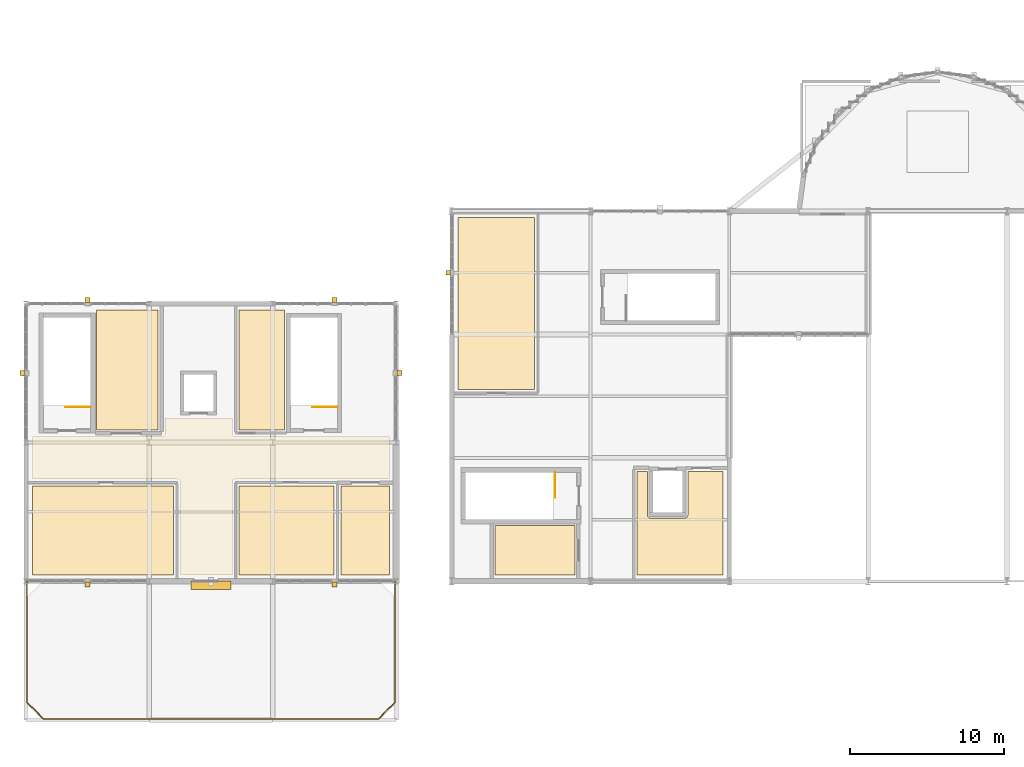
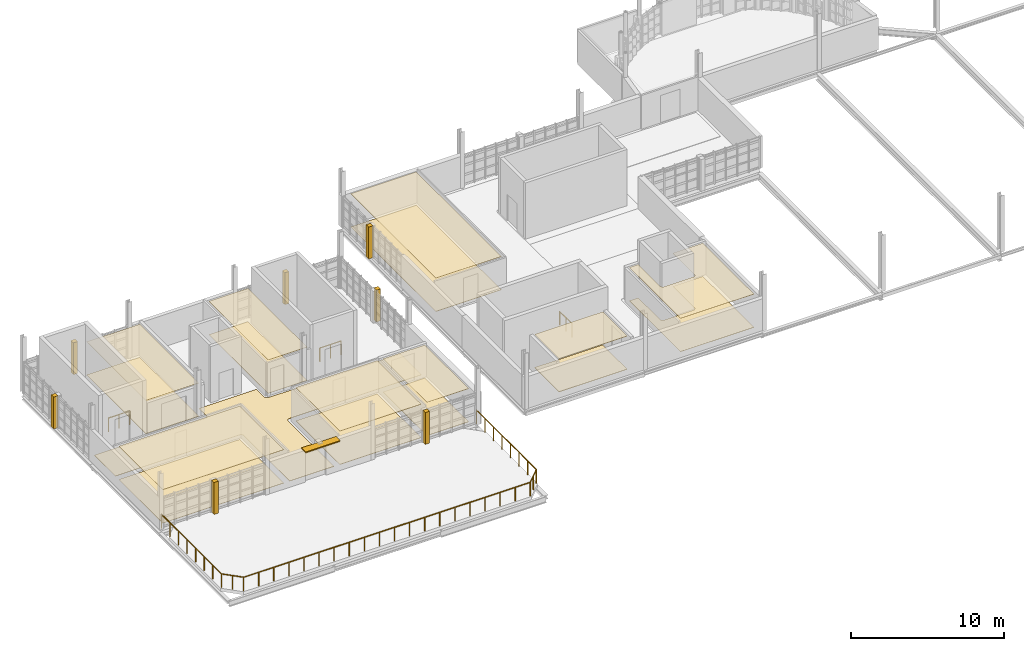
# One storey, part 42 of 44: 24 coverings, 4 railings, 1 shading device.
"""IFC4 building model written with IfcOpenShell, lengths in metres."""

from ifc_helpers import new_model, si_unit, direction, frame, origin, origin_2d, place, context, subcontext, project, spatial, polyline, rectangle, circle, outline, extrude, material, layer, layer_set, type_object, element, save


model = new_model("IFC4")

# Units and contexts
model_context = context("Model", 3, precision=1e-05, world=origin(), true_north=direction((0.0, 1.0)))
body_context = subcontext(model_context, "Body", "Model", "MODEL_VIEW")
ifc_project = project(units=[si_unit("LENGTHUNIT", "METRE"), si_unit("AREAUNIT", "SQUARE_METRE"), si_unit("VOLUMEUNIT", "CUBIC_METRE"), si_unit("PLANEANGLEUNIT", "RADIAN"), si_unit("MASSUNIT", "GRAM", prefix="KILO")], contexts=[model_context])

# Site, building, storey
site_placement = place(None, origin())
site = spatial("IfcSite", under=ifc_project, at=site_placement, CompositionType="ELEMENT")
building_placement = place(site_placement, origin())
building = spatial("IfcBuilding", under=site, at=building_placement, Name="Serraforn Aerial Cableway Station", CompositionType="ELEMENT")
storey_placement = place(building_placement, frame((0.0, 0.0, 13.800048828125)))
storey = spatial("IfcBuildingStorey", under=building, at=storey_placement, Name="L03", CompositionType="ELEMENT", Elevation=13.800048828125)

# Coverings
ifc_material_1 = material(Name="Fluted patinated bronze Art Deco pilaster cladding")
ifc_layer_1 = layer(ifc_material_1, 0.034912109375)
ifc_layer_set_1 = layer_set([ifc_layer_1], Name="Fluted patinated bronze Art Deco pilaster cladding")
covering_type_1 = type_object("IfcCoveringType", Name="COV-CLAD-BRZ", PredefinedType="CLADDING", material=ifc_layer_set_1)
covering_1_placement = place(storey_placement, origin())
element("IfcCovering", 1, at=covering_1_placement, inside=storey, type_object=covering_type_1, Name="Art Deco Bronze Pilaster Cladding W-L03-S1", PredefinedType="CLADDING", context=body_context, shape_type="SweptSolid", body=[
    extrude(outline(polyline([(3.840087890625, 17.6201171875), (4.159912109375, 17.6201171875), (4.159912109375, 17.93994140625), (3.840087890625, 17.93994140625), (3.840087890625, 17.6201171875)])), origin(), (0.0, 0.0, 1.0), 2.550048828125),
])
covering_2_placement = place(storey_placement, origin())
element("IfcCovering", 2, at=covering_2_placement, inside=storey, type_object=covering_type_1, Name="Art Deco Bronze Pilaster Cladding W-L03-S3", PredefinedType="CLADDING", context=body_context, shape_type="SweptSolid", body=[
    extrude(outline(polyline([(19.840087890625, 17.6201171875), (20.159912109375, 17.6201171875), (20.159912109375, 17.93994140625), (19.840087890625, 17.93994140625), (19.840087890625, 17.6201171875)])), origin(), (0.0, 0.0, 1.0), 2.550048828125),
])
covering_3_placement = place(storey_placement, origin())
element("IfcCovering", 3, at=covering_3_placement, inside=storey, type_object=covering_type_1, Name="Art Deco Bronze Pilaster Cladding W-L03-N1", PredefinedType="CLADDING", context=body_context, shape_type="SweptSolid", body=[
    extrude(outline(polyline([(3.840087890625, 36.06005859375), (4.159912109375, 36.06005859375), (4.159912109375, 36.3798828125), (3.840087890625, 36.3798828125), (3.840087890625, 36.06005859375)])), origin(), (0.0, 0.0, 1.0), 2.550048828125),
])
covering_4_placement = place(storey_placement, origin())
element("IfcCovering", 4, at=covering_4_placement, inside=storey, type_object=covering_type_1, Name="Art Deco Bronze Pilaster Cladding W-L03-N3", PredefinedType="CLADDING", context=body_context, shape_type="SweptSolid", body=[
    extrude(outline(polyline([(19.840087890625, 36.06005859375), (20.159912109375, 36.06005859375), (20.159912109375, 36.3798828125), (19.840087890625, 36.3798828125), (19.840087890625, 36.06005859375)])), origin(), (0.0, 0.0, 1.0), 2.550048828125),
])
covering_5_placement = place(storey_placement, origin())
element("IfcCovering", 5, at=covering_5_placement, inside=storey, type_object=covering_type_1, Name="Art Deco Bronze Pilaster Cladding W-L03-W2", PredefinedType="CLADDING", context=body_context, shape_type="SweptSolid", body=[
    extrude(outline(polyline([(-0.3798828125, 31.340087890625), (-0.06005859375, 31.340087890625), (-0.06005859375, 31.659912109375), (-0.3798828125, 31.659912109375), (-0.3798828125, 31.340087890625)])), origin(), (0.0, 0.0, 1.0), 2.550048828125),
])
covering_6_placement = place(storey_placement, origin())
element("IfcCovering", 6, at=covering_6_placement, inside=storey, type_object=covering_type_1, Name="Art Deco Bronze Pilaster Cladding W-L03-E2", PredefinedType="CLADDING", context=body_context, shape_type="SweptSolid", body=[
    extrude(outline(polyline([(24.06005859375, 31.340087890625), (24.3798828125, 31.340087890625), (24.3798828125, 31.659912109375), (24.06005859375, 31.659912109375), (24.06005859375, 31.340087890625)])), origin(), (0.0, 0.0, 1.0), 2.550048828125),
])
covering_7_placement = place(storey_placement, origin())
element("IfcCovering", 7, at=covering_7_placement, inside=storey, type_object=covering_type_1, Name="Art Deco Bronze Pilaster Cladding CV-L03-W3", PredefinedType="CLADDING", context=body_context, shape_type="SweptSolid", body=[
    extrude(outline(polyline([(27.219970703125, 37.840087890625), (27.5400390625, 37.840087890625), (27.5400390625, 38.159912109375), (27.219970703125, 38.159912109375), (27.219970703125, 37.840087890625)])), origin(), (0.0, 0.0, 1.0), 2.550048828125),
])
ifc_material_2 = material(Name="Perforated acoustic mineral ceiling")
ifc_layer_2 = layer(ifc_material_2, 0.02490234375)
ifc_layer_set_2 = layer_set([ifc_layer_2], Name="Perforated acoustic mineral ceiling")
covering_type_2 = type_object("IfcCoveringType", Name="COV-CLG-AC", PredefinedType="CEILING", material=ifc_layer_set_2)
covering_8_placement = place(storey_placement, frame((0.0, 0.0, 2.659912109375)))
element("IfcCovering", 8, at=covering_8_placement, inside=storey, type_object=covering_type_2, Name="Suspended Ceiling L03-07", PredefinedType="CEILING", context=body_context, shape_type="SweptSolid", body=[
    extrude(outline(polyline([(28.02001953125, 30.419921875), (28.02001953125, 41.580078125), (32.97998046875, 41.580078125), (32.97998046875, 30.419921875), (28.02001953125, 30.419921875)])), origin(), (0.0, 0.0, 1.0), 0.025146484375),
])
covering_9_placement = place(storey_placement, frame((0.0, 0.0, 2.659912109375)))
element("IfcCovering", 9, at=covering_9_placement, inside=storey, type_object=covering_type_2, Name="Suspended Ceiling L03-08", PredefinedType="CEILING", context=body_context, shape_type="SweptSolid", body=[
    extrude(outline(polyline([(39.6201171875, 18.419921875), (39.6201171875, 25.1298828125), (40.2900390625, 25.1298828125), (40.2900390625, 22.31005859375), (40.291015625, 22.288330078125), (40.294189453125, 22.26708984375), (40.299560546875, 22.24609375), (40.306640625, 22.225830078125), (40.31591796875, 22.206298828125), (40.3271484375, 22.187744140625), (40.33984375, 22.17041015625), (40.3544921875, 22.154296875), (40.370361328125, 22.139892578125), (40.3876953125, 22.127197265625), (40.40625, 22.115966796875), (40.42578125, 22.106689453125), (40.446044921875, 22.099609375), (40.467041015625, 22.09423828125), (40.48828125, 22.091064453125), (40.510009765625, 22.090087890625), (42.68994140625, 22.090087890625), (42.711669921875, 22.091064453125), (42.73291015625, 22.09423828125), (42.75390625, 22.099609375), (42.774169921875, 22.106689453125), (42.793701171875, 22.115966796875), (42.812255859375, 22.127197265625), (42.82958984375, 22.139892578125), (42.845703125, 22.154296875), (42.860107421875, 22.17041015625), (42.872802734375, 22.187744140625), (42.884033203125, 22.206298828125), (42.893310546875, 22.225830078125), (42.900390625, 22.24609375), (42.90576171875, 22.26708984375), (42.908935546875, 22.288330078125), (42.909912109375, 22.31005859375), (42.909912109375, 25.1298828125), (45.179931640625, 25.1298828125), (45.179931640625, 18.419921875), (39.6201171875, 18.419921875)])), origin(), (0.0, 0.0, 1.0), 0.025146484375),
])
ifc_material_3 = material(Name="Fire-protective gypsum board ceiling")
ifc_layer_3 = layer(ifc_material_3, 0.02001953125)
ifc_layer_set_3 = layer_set([ifc_layer_3], Name="Fire-protective gypsum board ceiling")
covering_type_3 = type_object("IfcCoveringType", Name="COV-CLG-GYP", PredefinedType="CEILING", material=ifc_layer_set_3)
covering_10_placement = place(storey_placement, frame((0.0, 0.0, 2.659912109375)))
element("IfcCovering", 10, at=covering_10_placement, inside=storey, type_object=covering_type_3, Name="Suspended Ceiling L03-11", PredefinedType="CEILING", context=body_context, shape_type="SweptSolid", body=[
    extrude(outline(polyline([(30.419921875, 18.419921875), (30.419921875, 21.6298828125), (35.580078125, 21.6298828125), (35.580078125, 18.419921875), (30.419921875, 18.419921875)])), origin(), (0.0, 0.0, 1.0), 0.02001953125),
])
covering_11_placement = place(storey_placement, frame((0.0, 0.0, 2.659912109375)))
element("IfcCovering", 11, at=covering_11_placement, inside=storey, type_object=covering_type_3, Name="Suspended Ceiling L03-05", PredefinedType="CEILING", context=body_context, shape_type="SweptSolid", body=[
    extrude(outline(polyline([(20.419921875, 18.419921875), (20.419921875, 24.179931640625), (23.580078125, 24.179931640625), (23.580078125, 18.419921875), (20.419921875, 18.419921875)])), origin(), (0.0, 0.0, 1.0), 0.02001953125),
])
covering_12_placement = place(storey_placement, frame((0.0, 0.0, 2.659912109375)))
element("IfcCovering", 12, at=covering_12_placement, inside=storey, type_object=covering_type_3, Name="Suspended Ceiling L03-04", PredefinedType="CEILING", context=body_context, shape_type="SweptSolid", body=[
    extrude(outline(polyline([(4.570068359375, 27.820068359375), (4.570068359375, 35.580078125), (8.580078125, 35.580078125), (8.580078125, 27.820068359375), (4.570068359375, 27.820068359375)])), origin(), (0.0, 0.0, 1.0), 0.02001953125),
])
covering_13_placement = place(storey_placement, frame((0.0, 0.0, 2.659912109375)))
element("IfcCovering", 13, at=covering_13_placement, inside=storey, type_object=covering_type_3, Name="Suspended Ceiling L03-03", PredefinedType="CEILING", context=body_context, shape_type="SweptSolid", body=[
    extrude(outline(polyline([(16.780029296875, 27.820068359375), (13.820068359375, 27.820068359375), (13.820068359375, 35.580078125), (16.780029296875, 35.580078125), (16.780029296875, 27.820068359375)])), origin(), (0.0, 0.0, 1.0), 0.02001953125),
])
ifc_material_4 = material(Name="Slatted Catalan chestnut acoustic ceiling")
ifc_layer_4 = layer(ifc_material_4, 0.034912109375)
ifc_layer_set_4 = layer_set([ifc_layer_4], Name="Slatted Catalan chestnut acoustic ceiling")
covering_type_4 = type_object("IfcCoveringType", Name="COV-CLG-WD", PredefinedType="CEILING", material=ifc_layer_set_4)
covering_14_placement = place(storey_placement, frame((0.0, 0.0, 2.659912109375)))
element("IfcCovering", 14, at=covering_14_placement, inside=storey, type_object=covering_type_4, Name="Suspended Ceiling L03-01", PredefinedType="CEILING", context=body_context, shape_type="SweptSolid", body=[
    extrude(outline(polyline([(0.419921875, 18.419921875), (0.419921875, 24.179931640625), (9.580078125, 24.179931640625), (9.580078125, 18.419921875), (0.419921875, 18.419921875)])), origin(), (0.0, 0.0, 1.0), 0.03515625),
])
covering_15_placement = place(storey_placement, frame((0.0, 0.0, 2.659912109375)))
element("IfcCovering", 15, at=covering_15_placement, inside=storey, type_object=covering_type_4, Name="Suspended Ceiling L03-02", PredefinedType="CEILING", context=body_context, shape_type="SweptSolid", body=[
    extrude(outline(polyline([(13.820068359375, 18.419921875), (13.820068359375, 24.179931640625), (19.97998046875, 24.179931640625), (19.97998046875, 18.419921875), (13.820068359375, 18.419921875)])), origin(), (0.0, 0.0, 1.0), 0.03515625),
])
ifc_material_5 = material(Name="Heavy-duty non-slip quartz epoxy floor")
ifc_layer_5 = layer(ifc_material_5, 0.014892578125)
ifc_layer_set_5 = layer_set([ifc_layer_5], Name="Heavy-duty non-slip quartz epoxy floor")
covering_type_5 = type_object("IfcCoveringType", Name="COV-FLR-EPOX", PredefinedType="FLOORING", material=ifc_layer_set_5)
covering_16_placement = place(storey_placement, origin())
element("IfcCovering", 16, at=covering_16_placement, inside=storey, type_object=covering_type_5, Name="Flooring L03-03", PredefinedType="FLOORING", context=body_context, shape_type="SweptSolid", body=[
    extrude(outline(polyline([(16.780029296875, 27.820068359375), (13.820068359375, 27.820068359375), (13.820068359375, 35.580078125), (16.780029296875, 35.580078125), (16.780029296875, 27.820068359375)])), origin(), (0.0, 0.0, 1.0), 0.014892578125),
])
ifc_material_6 = material(Name="Honed Montjuic limestone flooring", Category="masonry")
ifc_layer_6 = layer(ifc_material_6, 0.030029296875)
ifc_layer_set_6 = layer_set([ifc_layer_6], Name="Honed Montjuic limestone flooring")
covering_type_6 = type_object("IfcCoveringType", Name="COV-FLR-STN", PredefinedType="FLOORING", material=ifc_layer_set_6)
covering_17_placement = place(storey_placement, origin())
element("IfcCovering", 17, at=covering_17_placement, inside=storey, type_object=covering_type_6, Name="Flooring L03-06", PredefinedType="FLOORING", context=body_context, shape_type="SweptSolid", body=[
    extrude(outline(polyline([(10.02001953125, 18.419921875), (10.02001953125, 24.39990234375), (10.018798828125, 24.421630859375), (10.015869140625, 24.44287109375), (10.010498046875, 24.4638671875), (10.00341796875, 24.484130859375), (9.993896484375, 24.503662109375), (9.98291015625, 24.522216796875), (9.97021484375, 24.53955078125), (9.95556640625, 24.5556640625), (9.939697265625, 24.570068359375), (9.922119140625, 24.5830078125), (9.90380859375, 24.593994140625), (9.88427734375, 24.603271484375), (9.864013671875, 24.610595703125), (9.843017578125, 24.61572265625), (9.821533203125, 24.618896484375), (9.800048828125, 24.6201171875), (0.419921875, 24.6201171875), (0.419921875, 27.3798828125), (8.800048828125, 27.3798828125), (8.821533203125, 27.381103515625), (8.843017578125, 27.38427734375), (8.864013671875, 27.389404296875), (8.88427734375, 27.396728515625), (8.90380859375, 27.406005859375), (8.922119140625, 27.4169921875), (8.939697265625, 27.429931640625), (8.95556640625, 27.4443359375), (8.97021484375, 27.46044921875), (8.98291015625, 27.477783203125), (8.993896484375, 27.496337890625), (9.00341796875, 27.515869140625), (9.010498046875, 27.5361328125), (9.015869140625, 27.55712890625), (9.018798828125, 27.578369140625), (9.02001953125, 27.60009765625), (9.02001953125, 28.580078125), (13.3798828125, 28.580078125), (13.3798828125, 27.60009765625), (13.381103515625, 27.578369140625), (13.38427734375, 27.55712890625), (13.389404296875, 27.5361328125), (13.396728515625, 27.515869140625), (13.406005859375, 27.496337890625), (13.4169921875, 27.477783203125), (13.429931640625, 27.46044921875), (13.4443359375, 27.4443359375), (13.46044921875, 27.429931640625), (13.477783203125, 27.4169921875), (13.496337890625, 27.406005859375), (13.515869140625, 27.396728515625), (13.5361328125, 27.389404296875), (13.55712890625, 27.38427734375), (13.578369140625, 27.381103515625), (13.60009765625, 27.3798828125), (23.580078125, 27.3798828125), (23.580078125, 24.6201171875), (13.60009765625, 24.6201171875), (13.578369140625, 24.618896484375), (13.55712890625, 24.61572265625), (13.5361328125, 24.610595703125), (13.515869140625, 24.603271484375), (13.496337890625, 24.593994140625), (13.477783203125, 24.5830078125), (13.46044921875, 24.570068359375), (13.4443359375, 24.5556640625), (13.429931640625, 24.53955078125), (13.4169921875, 24.522216796875), (13.406005859375, 24.503662109375), (13.396728515625, 24.484130859375), (13.389404296875, 24.4638671875), (13.38427734375, 24.44287109375), (13.381103515625, 24.421630859375), (13.3798828125, 24.39990234375), (13.3798828125, 18.419921875), (10.02001953125, 18.419921875)])), origin(), (0.0, 0.0, 1.0), 0.030029296875),
])
covering_18_placement = place(storey_placement, origin())
element("IfcCovering", 18, at=covering_18_placement, inside=storey, type_object=covering_type_6, Name="Flooring L03-11", PredefinedType="FLOORING", context=body_context, shape_type="SweptSolid", body=[
    extrude(outline(polyline([(30.419921875, 18.419921875), (30.419921875, 21.6298828125), (35.580078125, 21.6298828125), (35.580078125, 18.419921875), (30.419921875, 18.419921875)])), origin(), (0.0, 0.0, 1.0), 0.030029296875),
])
covering_19_placement = place(storey_placement, origin())
element("IfcCovering", 19, at=covering_19_placement, inside=storey, type_object=covering_type_6, Name="Flooring L03-05", PredefinedType="FLOORING", context=body_context, shape_type="SweptSolid", body=[
    extrude(outline(polyline([(20.419921875, 18.419921875), (20.419921875, 24.179931640625), (23.580078125, 24.179931640625), (23.580078125, 18.419921875), (20.419921875, 18.419921875)])), origin(), (0.0, 0.0, 1.0), 0.030029296875),
])
covering_20_placement = place(storey_placement, origin())
element("IfcCovering", 20, at=covering_20_placement, inside=storey, type_object=covering_type_6, Name="Flooring L03-04", PredefinedType="FLOORING", context=body_context, shape_type="SweptSolid", body=[
    extrude(outline(polyline([(4.570068359375, 27.820068359375), (4.570068359375, 35.580078125), (8.580078125, 35.580078125), (8.580078125, 27.820068359375), (4.570068359375, 27.820068359375)])), origin(), (0.0, 0.0, 1.0), 0.030029296875),
])
ifc_material_7 = material(Name="Catalan oak parquet flooring")
ifc_layer_7 = layer(ifc_material_7, 0.02197265625)
ifc_layer_set_7 = layer_set([ifc_layer_7], Name="Catalan oak parquet flooring")
covering_type_7 = type_object("IfcCoveringType", Name="COV-FLR-WD", PredefinedType="FLOORING", material=ifc_layer_set_7)
covering_21_placement = place(storey_placement, origin())
element("IfcCovering", 21, at=covering_21_placement, inside=storey, type_object=covering_type_7, Name="Flooring L03-07", PredefinedType="FLOORING", context=body_context, shape_type="SweptSolid", body=[
    extrude(outline(polyline([(28.02001953125, 30.419921875), (28.02001953125, 41.580078125), (32.97998046875, 41.580078125), (32.97998046875, 30.419921875), (28.02001953125, 30.419921875)])), origin(), (0.0, 0.0, 1.0), 0.02197265625),
])
covering_22_placement = place(storey_placement, origin())
element("IfcCovering", 22, at=covering_22_placement, inside=storey, type_object=covering_type_7, Name="Flooring L03-08", PredefinedType="FLOORING", context=body_context, shape_type="SweptSolid", body=[
    extrude(outline(polyline([(39.6201171875, 18.419921875), (39.6201171875, 25.1298828125), (40.2900390625, 25.1298828125), (40.2900390625, 22.31005859375), (40.291015625, 22.288330078125), (40.294189453125, 22.26708984375), (40.299560546875, 22.24609375), (40.306640625, 22.225830078125), (40.31591796875, 22.206298828125), (40.3271484375, 22.187744140625), (40.33984375, 22.17041015625), (40.3544921875, 22.154296875), (40.370361328125, 22.139892578125), (40.3876953125, 22.127197265625), (40.40625, 22.115966796875), (40.42578125, 22.106689453125), (40.446044921875, 22.099609375), (40.467041015625, 22.09423828125), (40.48828125, 22.091064453125), (40.510009765625, 22.090087890625), (42.68994140625, 22.090087890625), (42.711669921875, 22.091064453125), (42.73291015625, 22.09423828125), (42.75390625, 22.099609375), (42.774169921875, 22.106689453125), (42.793701171875, 22.115966796875), (42.812255859375, 22.127197265625), (42.82958984375, 22.139892578125), (42.845703125, 22.154296875), (42.860107421875, 22.17041015625), (42.872802734375, 22.187744140625), (42.884033203125, 22.206298828125), (42.893310546875, 22.225830078125), (42.900390625, 22.24609375), (42.90576171875, 22.26708984375), (42.908935546875, 22.288330078125), (42.909912109375, 22.31005859375), (42.909912109375, 25.1298828125), (45.179931640625, 25.1298828125), (45.179931640625, 18.419921875), (39.6201171875, 18.419921875)])), origin(), (0.0, 0.0, 1.0), 0.02197265625),
])
covering_23_placement = place(storey_placement, origin())
element("IfcCovering", 23, at=covering_23_placement, inside=storey, type_object=covering_type_7, Name="Flooring L03-01", PredefinedType="FLOORING", context=body_context, shape_type="SweptSolid", body=[
    extrude(outline(polyline([(0.419921875, 18.419921875), (0.419921875, 24.179931640625), (9.580078125, 24.179931640625), (9.580078125, 18.419921875), (0.419921875, 18.419921875)])), origin(), (0.0, 0.0, 1.0), 0.02197265625),
])
covering_24_placement = place(storey_placement, origin())
element("IfcCovering", 24, at=covering_24_placement, inside=storey, type_object=covering_type_7, Name="Flooring L03-02", PredefinedType="FLOORING", context=body_context, shape_type="SweptSolid", body=[
    extrude(outline(polyline([(13.820068359375, 18.419921875), (13.820068359375, 24.179931640625), (19.97998046875, 24.179931640625), (19.97998046875, 18.419921875), (13.820068359375, 18.419921875)])), origin(), (0.0, 0.0, 1.0), 0.02197265625),
])

# Railings
ifc_material_8 = material(Name="Patinated bronze stair guardrail")
ifc_layer_8 = layer(ifc_material_8, 0.050048828125)
ifc_layer_set_8 = layer_set([ifc_layer_8], Name="Patinated bronze stair guardrail")
railing_type_1 = type_object("IfcRailingType", Name="RL-STR-GRD", PredefinedType="GUARDRAIL", material=ifc_layer_set_8)
for number, where, name in (
    (25, (4.199951171875, 29.300048828125, 0.0), "L03 ST-01 top well guard 1"),
    (26, (20.199951171875, 29.300048828125, 0.0), "L03 ST-02 top well guard 1"),
):
    element("IfcRailing", number, at=place(storey_placement, frame(where)), inside=storey, type_object=railing_type_1, Name=name, PredefinedType="GUARDRAIL", context=body_context, shape_type="SweptSolid", body=[
        extrude(circle(Radius=0.02392578125, at=origin_2d()), frame((0.0, 0.0, 1.076171875), z_axis=(-1.0, 0.0, 0.0), x_axis=(0.0, -1.0, 0.0)), (0.0, 0.0, 1.0), 1.60986328125),
        extrude(circle(Radius=0.02099609375, at=origin_2d()), origin(), (0.0, 0.0, 1.0), 1.052001953125),
        extrude(circle(Radius=0.02099609375, at=origin_2d()), frame((-0.804931640625, 0.0, 0.0)), (0.0, 0.0, 1.0), 1.052001953125),
        extrude(circle(Radius=0.02099609375, at=origin_2d()), frame((-1.60986328125, 0.0, 0.0)), (0.0, 0.0, 1.0), 1.052001953125),
    ])
railing_1_placement = place(storey_placement, frame((34.300048828125, 25.06005859375, 0.0)))
element("IfcRailing", 27, at=railing_1_placement, inside=storey, type_object=railing_type_1, Name="L03 ST-03 top well guard 1", PredefinedType="GUARDRAIL", context=body_context, shape_type="SweptSolid", body=[
    extrude(circle(Radius=0.02392578125, at=origin_2d()), frame((0.0, 0.0, 1.076171875), z_axis=(0.0, -1.0, 0.0), x_axis=(1.0, 0.0, 0.0)), (0.0, 0.0, 1.0), 1.610107421875),
    extrude(circle(Radius=0.02099609375, at=origin_2d()), origin(), (0.0, 0.0, 1.0), 1.052001953125),
    extrude(circle(Radius=0.02099609375, at=origin_2d()), frame((0.0, -0.80517578125, 0.0)), (0.0, 0.0, 1.0), 1.052001953125),
    extrude(circle(Radius=0.02099609375, at=origin_2d()), frame((0.0, -1.610107421875, 0.0)), (0.0, 0.0, 1.0), 1.052001953125),
])
ifc_material_9 = material(Name="Patinated bronze chevron Art Deco balustrade")
ifc_layer_9 = layer(ifc_material_9, 0.06005859375)
ifc_layer_set_9 = layer_set([ifc_layer_9], Name="Patinated bronze chevron Art Deco balustrade")
railing_type_2 = type_object("IfcRailingType", Name="RL-TER-GUARD", PredefinedType="BALUSTRADE", material=ifc_layer_set_9)
railing_2_placement = place(storey_placement, frame((0.080078125, 18.0, 0.0)))
element("IfcRailing", 28, at=railing_2_placement, inside=storey, type_object=railing_type_2, Name="Balustrade Guard GD-TER-WL03-S", PredefinedType="BALUSTRADE", context=body_context, shape_type="SweptSolid", body=[
    extrude(circle(Radius=0.02392578125, at=origin_2d()), frame((0.0, 0.0, 1.09619140625), z_axis=(0.0, -1.0, 0.0), x_axis=(1.0, 0.0, 0.0)), (0.0, 0.0, 1.0), 7.85009765625),
    extrude(circle(Radius=0.02392578125, at=origin_2d()), frame((0.0, -7.85009765625, 1.09619140625), z_axis=(0.707106781187, -0.707106781187, 0.0), x_axis=(0.707106781187, 0.707106781187, 0.0)), (0.0, 0.0, 1.0), 1.512939453125),
    extrude(circle(Radius=0.02392578125, at=origin_2d()), frame((1.06982421875, -8.919921875, 1.09619140625), z_axis=(1.0, 0.0, 0.0), x_axis=(0.0, 1.0, 0.0)), (0.0, 0.0, 1.0), 21.7001953125),
    extrude(circle(Radius=0.02392578125, at=origin_2d()), frame((22.77001953125, -8.919921875, 1.09619140625), z_axis=(0.707106781187, 0.707106781187, 0.0), x_axis=(-0.707106781187, 0.707106781187, 0.0)), (0.0, 0.0, 1.0), 1.512939453125),
    extrude(circle(Radius=0.02392578125, at=origin_2d()), frame((23.83984375, -7.85009765625, 1.09619140625), z_axis=(0.0, 1.0, 0.0), x_axis=(-1.0, 0.0, 0.0)), (0.0, 0.0, 1.0), 7.85009765625),
    extrude(circle(Radius=0.02099609375, at=origin_2d()), origin(), (0.0, 0.0, 1.0), 1.072021484375),
    extrude(circle(Radius=0.02099609375, at=origin_2d()), frame((0.0, -1.121337890625, 0.0)), (0.0, 0.0, 1.0), 1.072021484375),
    extrude(circle(Radius=0.02099609375, at=origin_2d()), frame((0.0, -2.242919921875, 0.0)), (0.0, 0.0, 1.0), 1.072021484375),
    extrude(circle(Radius=0.02099609375, at=origin_2d()), frame((0.0, -3.3642578125, 0.0)), (0.0, 0.0, 1.0), 1.072021484375),
    extrude(circle(Radius=0.02099609375, at=origin_2d()), frame((0.0, -4.48583984375, 0.0)), (0.0, 0.0, 1.0), 1.072021484375),
    extrude(circle(Radius=0.02099609375, at=origin_2d()), frame((0.0, -5.607177734375, 0.0)), (0.0, 0.0, 1.0), 1.072021484375),
    extrude(circle(Radius=0.02099609375, at=origin_2d()), frame((0.0, -6.728759765625, 0.0)), (0.0, 0.0, 1.0), 1.072021484375),
    extrude(circle(Radius=0.02099609375, at=origin_2d()), frame((0.0, -7.85009765625, 0.0)), (0.0, 0.0, 1.0), 1.072021484375),
    extrude(circle(Radius=0.02099609375, at=origin_2d()), frame((0.534912109375, -8.385009765625, 0.0)), (0.0, 0.0, 1.0), 1.072021484375),
    extrude(circle(Radius=0.02099609375, at=origin_2d()), frame((1.06982421875, -8.919921875, 0.0)), (0.0, 0.0, 1.0), 1.072021484375),
    extrude(circle(Radius=0.02099609375, at=origin_2d()), frame((2.2119140625, -8.919921875, 0.0)), (0.0, 0.0, 1.0), 1.072021484375),
    extrude(circle(Radius=0.02099609375, at=origin_2d()), frame((3.35400390625, -8.919921875, 0.0)), (0.0, 0.0, 1.0), 1.072021484375),
    extrude(circle(Radius=0.02099609375, at=origin_2d()), frame((4.49609375, -8.919921875, 0.0)), (0.0, 0.0, 1.0), 1.072021484375),
    extrude(circle(Radius=0.02099609375, at=origin_2d()), frame((5.63818359375, -8.919921875, 0.0)), (0.0, 0.0, 1.0), 1.072021484375),
    extrude(circle(Radius=0.02099609375, at=origin_2d()), frame((6.780517578125, -8.919921875, 0.0)), (0.0, 0.0, 1.0), 1.072021484375),
    extrude(circle(Radius=0.02099609375, at=origin_2d()), frame((7.922607421875, -8.919921875, 0.0)), (0.0, 0.0, 1.0), 1.072021484375),
    extrude(circle(Radius=0.02099609375, at=origin_2d()), frame((9.064697265625, -8.919921875, 0.0)), (0.0, 0.0, 1.0), 1.072021484375),
    extrude(circle(Radius=0.02099609375, at=origin_2d()), frame((10.206787109375, -8.919921875, 0.0)), (0.0, 0.0, 1.0), 1.072021484375),
    extrude(circle(Radius=0.02099609375, at=origin_2d()), frame((11.348876953125, -8.919921875, 0.0)), (0.0, 0.0, 1.0), 1.072021484375),
    extrude(circle(Radius=0.02099609375, at=origin_2d()), frame((12.490966796875, -8.919921875, 0.0)), (0.0, 0.0, 1.0), 1.072021484375),
    extrude(circle(Radius=0.02099609375, at=origin_2d()), frame((13.633056640625, -8.919921875, 0.0)), (0.0, 0.0, 1.0), 1.072021484375),
    extrude(circle(Radius=0.02099609375, at=origin_2d()), frame((14.775146484375, -8.919921875, 0.0)), (0.0, 0.0, 1.0), 1.072021484375),
    extrude(circle(Radius=0.02099609375, at=origin_2d()), frame((15.917236328125, -8.919921875, 0.0)), (0.0, 0.0, 1.0), 1.072021484375),
    extrude(circle(Radius=0.02099609375, at=origin_2d()), frame((17.059326171875, -8.919921875, 0.0)), (0.0, 0.0, 1.0), 1.072021484375),
    extrude(circle(Radius=0.02099609375, at=origin_2d()), frame((18.20166015625, -8.919921875, 0.0)), (0.0, 0.0, 1.0), 1.072021484375),
    extrude(circle(Radius=0.02099609375, at=origin_2d()), frame((19.34375, -8.919921875, 0.0)), (0.0, 0.0, 1.0), 1.072021484375),
    extrude(circle(Radius=0.02099609375, at=origin_2d()), frame((20.48583984375, -8.919921875, 0.0)), (0.0, 0.0, 1.0), 1.072021484375),
    extrude(circle(Radius=0.02099609375, at=origin_2d()), frame((21.6279296875, -8.919921875, 0.0)), (0.0, 0.0, 1.0), 1.072021484375),
    extrude(circle(Radius=0.02099609375, at=origin_2d()), frame((22.77001953125, -8.919921875, 0.0)), (0.0, 0.0, 1.0), 1.072021484375),
    extrude(circle(Radius=0.02099609375, at=origin_2d()), frame((23.304931640625, -8.385009765625, 0.0)), (0.0, 0.0, 1.0), 1.072021484375),
    extrude(circle(Radius=0.02099609375, at=origin_2d()), frame((23.83984375, -7.85009765625, 0.0)), (0.0, 0.0, 1.0), 1.072021484375),
    extrude(circle(Radius=0.02099609375, at=origin_2d()), frame((23.83984375, -6.728759765625, 0.0)), (0.0, 0.0, 1.0), 1.072021484375),
    extrude(circle(Radius=0.02099609375, at=origin_2d()), frame((23.83984375, -5.607177734375, 0.0)), (0.0, 0.0, 1.0), 1.072021484375),
    extrude(circle(Radius=0.02099609375, at=origin_2d()), frame((23.83984375, -4.48583984375, 0.0)), (0.0, 0.0, 1.0), 1.072021484375),
    extrude(circle(Radius=0.02099609375, at=origin_2d()), frame((23.83984375, -3.3642578125, 0.0)), (0.0, 0.0, 1.0), 1.072021484375),
    extrude(circle(Radius=0.02099609375, at=origin_2d()), frame((23.83984375, -2.242919921875, 0.0)), (0.0, 0.0, 1.0), 1.072021484375),
    extrude(circle(Radius=0.02099609375, at=origin_2d()), frame((23.83984375, -1.121337890625, 0.0)), (0.0, 0.0, 1.0), 1.072021484375),
    extrude(circle(Radius=0.02099609375, at=origin_2d()), frame((23.83984375, 0.0, 0.0)), (0.0, 0.0, 1.0), 1.072021484375),
])

# Shading device
ifc_material_10 = material(Name="Anodised bronze solar brise-soleil louvre")
ifc_layer_10 = layer(ifc_material_10, 0.080078125)
ifc_layer_set_10 = layer_set([ifc_layer_10], Name="Anodised bronze solar brise-soleil louvre")
shading_device_type = type_object("IfcShadingDeviceType", Name="SHD-LOUVRE", PredefinedType="USERDEFINED", material=ifc_layer_set_10)
shading_device_placement = place(storey_placement, frame((12.0, 17.75, 2.60986328125), z_axis=(0.0, 0.0, 1.0), x_axis=(1.0, 0.0, 0.0)))
element("IfcShadingDevice", 29, at=shading_device_placement, inside=storey, type_object=shading_device_type, Name="Art Deco Bronze Brise-Soleil 07", ObjectType="SUNSHADE", PredefinedType="USERDEFINED", context=body_context, shape_type="SweptSolid", body=[
    extrude(rectangle(XDim=2.60009765625, YDim=0.550048828125, at=origin_2d()), origin(), (0.0, 0.0, 1.0), 0.080078125),
])

save(model, "model.ifc")
